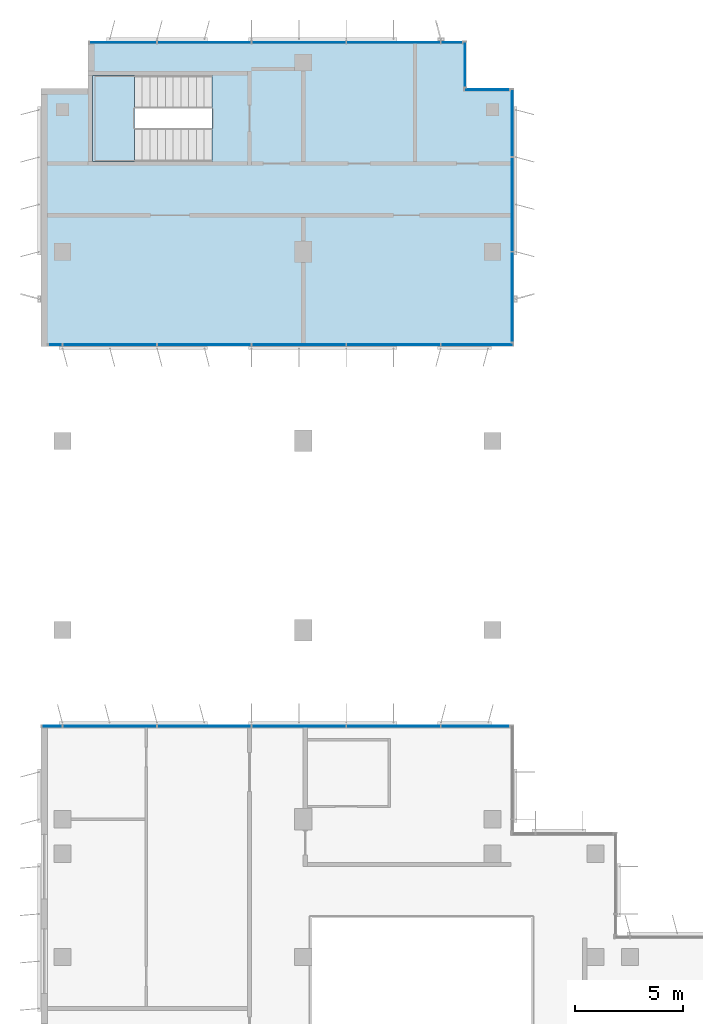
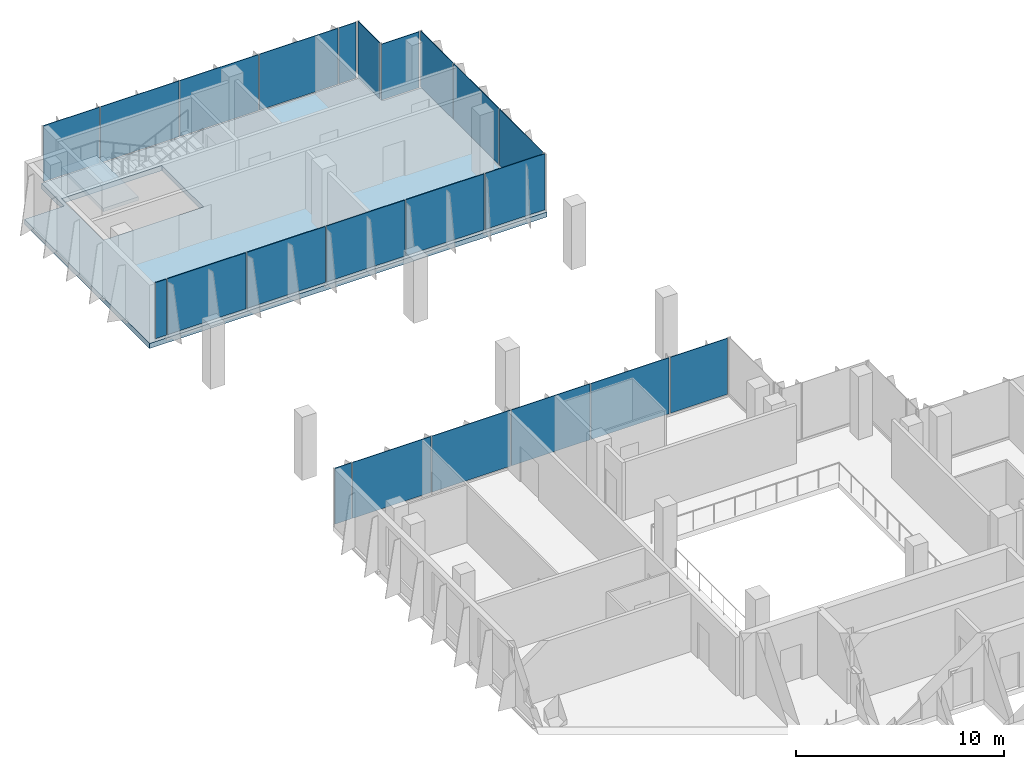
# One storey, part 8 of 14: 22 plates, 2 slabs, 7 elements without a shape of their own.
"""IFC4 building model written with IfcOpenShell, lengths in metres."""

import ifcopenshell
import ifcopenshell.guid

model = None  # the IFC model being written
_history = None  # IfcOwnerHistory: only IFC2X3 demands one
_inside = {}  # id of a spatial element -> (the spatial element, [elements in it])
_under = {}  # id of a project, library or spatial element -> (it, [spatial elements below it])
_declared = {}  # id of a project -> (the project, [libraries it declares])
_typed = {}  # id of a type object -> (the type object, [elements of that type])
_made_of = {}  # id of a material, layer set ... -> (it, [elements and type objects made of it])


def new_model(schema):
    """Start an empty IFC model of exactly this schema.

    Asked for "IFC4X3", IfcOpenShell would pick the latest addendum, in which some entities
    have other attributes; the version numbers below select the first issue.
    IFC2X3 requires an IfcOwnerHistory on every rooted entity: one is made here for all.
    """
    global model, _history
    if schema == "IFC4X3":
        model = ifcopenshell.file(schema_version=(4, 3, 0, 0))
    else:
        model = ifcopenshell.file(schema=schema)
    _inside.clear()
    _under.clear()
    _declared.clear()
    _typed.clear()
    _made_of.clear()
    _history = None
    if model.schema == "IFC2X3":
        org = make("IfcOrganization", Name="unknown")
        user = make(
            "IfcPersonAndOrganization",
            ThePerson=make("IfcPerson", FamilyName="unknown"),
            TheOrganization=org,
        )
        app = make(
            "IfcApplication",
            ApplicationDeveloper=org,
            Version="unknown",
            ApplicationFullName="unknown",
            ApplicationIdentifier="unknown",
        )
        _history = make(
            "IfcOwnerHistory",
            OwningUser=user,
            OwningApplication=app,
            ChangeAction="ADDED",
            CreationDate=0,
        )
    return model


def make(cls, **values):
    """One entity of the class cls with the attributes given. An attribute that is None is left unset."""
    return model.create_entity(
        cls, **{name: value for name, value in values.items() if value is not None}
    )


def rooted(cls, **values):
    """An entity with a GlobalId (a new one), such as an element, a storey or a relation."""
    return make(cls, GlobalId=ifcopenshell.guid.new(), OwnerHistory=_history, **values)


def si_unit(unit_type, name, prefix=None):
    """IfcSIUnit, for example si_unit("LENGTHUNIT", "METRE", prefix="MILLI")."""
    return make("IfcSIUnit", UnitType=unit_type, Prefix=prefix, Name=name)


def assignment(units):
    """IfcUnitAssignment: the units of a project."""
    return None if units is None else make("IfcUnitAssignment", Units=units)


def point(xyz):
    """IfcCartesianPoint."""
    return None if xyz is None else make("IfcCartesianPoint", Coordinates=xyz)


def direction(xyz):
    """IfcDirection."""
    return None if xyz is None else make("IfcDirection", DirectionRatios=xyz)


def frame(location, z_axis=None, x_axis=None):
    """IfcAxis2Placement3D, a coordinate frame: its origin and axes. An axis left out is left unset."""
    return make(
        "IfcAxis2Placement3D",
        Location=point(location),
        Axis=direction(z_axis),
        RefDirection=direction(x_axis),
    )


def frame_2d(location, x_axis=None):
    """IfcAxis2Placement2D, a coordinate frame in the plane: its origin and x axis."""
    return make(
        "IfcAxis2Placement2D", Location=point(location), RefDirection=direction(x_axis)
    )


def origin():
    """The frame at (0, 0, 0) with its axes left unset."""
    return frame((0.0, 0.0, 0.0))


def origin_2d():
    """The frame at (0, 0) in the plane with its x axis left unset."""
    return frame_2d((0.0, 0.0))


def place(relative_to, where):
    """IfcLocalPlacement: puts the frame where relative to a parent placement (None: the world)."""
    return make(
        "IfcLocalPlacement", PlacementRelTo=relative_to, RelativePlacement=where
    )


def context(
    kind, dimensions, precision=None, world=None, true_north=None, identifier=None
):
    """IfcGeometricRepresentationContext, for example the 3D "Model" context."""
    return make(
        "IfcGeometricRepresentationContext",
        ContextIdentifier=identifier,
        ContextType=kind,
        CoordinateSpaceDimension=dimensions,
        Precision=precision,
        WorldCoordinateSystem=world,
        TrueNorth=true_north,
    )


def subcontext(parent, identifier, kind, view, scale=None):
    """IfcGeometricRepresentationSubContext, for example "Body" below "Model"."""
    return make(
        "IfcGeometricRepresentationSubContext",
        ContextIdentifier=identifier,
        ContextType=kind,
        ParentContext=parent,
        TargetScale=scale,
        TargetView=view,
    )


def project(units=None, contexts=None):
    """IfcProject with its units and contexts."""
    return rooted(
        "IfcProject",
        Name="project",
        RepresentationContexts=contexts,
        UnitsInContext=assignment(units),
    )


def spatial(cls, under=None, at=None, **own):
    """A site, building, storey or space (cls), placed at a placement, below another one or the project."""
    s = rooted(cls, ObjectPlacement=at, **own)
    if under is not None:
        _under.setdefault(under.id(), (under, []))[1].append(s)
    return s


def polyline(points):
    """IfcPolyline through the points."""
    return make("IfcPolyline", Points=[point(p) for p in points])


def profile(cls, at=None, kind="AREA", **sizes):
    """A parametric profile (cls). Its sizes go by their IFC names, for example OverallWidth=200.0."""
    return make(cls, ProfileType=kind, Position=at, **sizes)


def rectangle(**sizes):
    """IfcRectangleProfileDef."""
    return profile("IfcRectangleProfileDef", **sizes)


def outline(outer, holes=None, kind="AREA"):
    """IfcArbitraryClosedProfileDef: a profile drawn as a closed curve; with holes, ...WithVoids."""
    if holes is None:
        return make("IfcArbitraryClosedProfileDef", ProfileType=kind, OuterCurve=outer)
    return make(
        "IfcArbitraryProfileDefWithVoids",
        ProfileType=kind,
        OuterCurve=outer,
        InnerCurves=holes,
    )


def extrude(swept, where, along, depth):
    """IfcExtrudedAreaSolid: the profile swept, set in the frame where, extruded along a direction by depth."""
    return make(
        "IfcExtrudedAreaSolid",
        SweptArea=swept,
        Position=where,
        ExtrudedDirection=direction(along),
        Depth=depth,
    )


def shape(context_of_items, identifier, shape_type, items):
    """IfcShapeRepresentation: the items that make up one representation, for example the "Body"."""
    return make(
        "IfcShapeRepresentation",
        ContextOfItems=context_of_items,
        RepresentationIdentifier=identifier,
        RepresentationType=shape_type,
        Items=items,
    )


def source(mapping_origin, context_of_items, identifier, shape_type, items):
    """IfcRepresentationMap: a shape defined once, which mapped items show again and again."""
    return make(
        "IfcRepresentationMap",
        MappingOrigin=mapping_origin,
        MappedRepresentation=shape(context_of_items, identifier, shape_type, items),
    )


def transform(
    local_origin,
    x_axis=None,
    y_axis=None,
    z_axis=None,
    scale=None,
    scale2=None,
    scale3=None,
    uniform=True,
):
    """IfcCartesianTransformationOperator3D, or its non-uniform kind. x_axis, y_axis, z_axis: its Axis1, 2, 3."""
    if uniform:
        return make(
            "IfcCartesianTransformationOperator3D",
            Axis1=direction(x_axis),
            Axis2=direction(y_axis),
            LocalOrigin=point(local_origin),
            Scale=scale,
            Axis3=direction(z_axis),
        )
    return make(
        "IfcCartesianTransformationOperator3DnonUniform",
        Axis1=direction(x_axis),
        Axis2=direction(y_axis),
        LocalOrigin=point(local_origin),
        Scale=scale,
        Axis3=direction(z_axis),
        Scale2=scale2,
        Scale3=scale3,
    )


def mapped(mapping_source, mapping_target):
    """IfcMappedItem: shows the shape of a source again, moved by a transform."""
    return make(
        "IfcMappedItem", MappingSource=mapping_source, MappingTarget=mapping_target
    )


def material(Name=None, Category=None):
    """IfcMaterial."""
    return make("IfcMaterial", Name=Name, Category=Category)


def layer(
    of_material, thickness, ventilated=None, Name=None, Category=None, Priority=None
):
    """IfcMaterialLayer: one layer of a wall or slab, of a material (None: an air gap)."""
    return make(
        "IfcMaterialLayer",
        Material=of_material,
        LayerThickness=thickness,
        IsVentilated=ventilated,
        Name=Name,
        Category=Category,
        Priority=Priority,
    )


def layer_set(layers, Name=None):
    """IfcMaterialLayerSet."""
    return make("IfcMaterialLayerSet", MaterialLayers=layers, LayerSetName=Name)


def made_of(thing, what):
    """Note that an element or type object is made of a material, layer set ...; save() writes the relation."""
    if what is not None:
        _made_of.setdefault(what.id(), (what, []))[1].append(thing)
    return thing


def type_object(cls, material=None, **own):
    """A type object (cls), such as IfcWallType, which elements share."""
    return made_of(rooted(cls, **own), material)


def element(
    cls,
    number,
    at=None,
    inside=None,
    cuts=None,
    type_object=None,
    material=None,
    context=None,
    identifier="Body",
    shape_type=None,
    held_by="IfcProductDefinitionShape",
    body=None,
    shapes=None,
    **own,
):
    """One element of the class cls, such as IfcWall. Its Tag is "e" and its number.

    at: its placement. inside: the storey or other place that contains it. cuts: it is an
    opening in that element (IfcRelVoidsElement). A single representation is given by context,
    identifier, shape_type and body (its items); several are given by shapes. held_by: the class
    of the entity that holds the representations. save() writes the other relations.
    """
    e = rooted(cls, Tag="e%d" % number, ObjectPlacement=at, **own)
    if body is not None:
        shapes = [shape(context, identifier, shape_type, body)]
    if shapes is not None:
        e.Representation = make(held_by, Representations=shapes)
    if inside is not None:
        _inside.setdefault(inside.id(), (inside, []))[1].append(e)
    if cuts is not None:
        rooted(
            "IfcRelVoidsElement", RelatingBuildingElement=cuts, RelatedOpeningElement=e
        )
    if type_object is not None:
        _typed.setdefault(type_object.id(), (type_object, []))[1].append(e)
    return made_of(e, material)


def aggregate(whole, parts):
    """IfcRelAggregates: a whole, such as a stair, and the parts it consists of."""
    return rooted("IfcRelAggregates", RelatingObject=whole, RelatedObjects=parts)


def save(model, path):
    """Write the relations noted so far, then the file.

    IfcRelAggregates (storeys below a building ...), IfcRelContainedInSpatialStructure (elements
    in a storey), IfcRelDefinesByType, IfcRelAssociatesMaterial and IfcRelDeclares: one each for
    every whole, place, type object, material and project.
    """
    for whole, parts in _under.values():
        aggregate(whole, parts)
    for where, things in _inside.values():
        rooted(
            "IfcRelContainedInSpatialStructure",
            RelatedElements=things,
            RelatingStructure=where,
        )
    for kind, things in _typed.values():
        rooted("IfcRelDefinesByType", RelatedObjects=things, RelatingType=kind)
    for what, things in _made_of.values():
        rooted("IfcRelAssociatesMaterial", RelatedObjects=things, RelatingMaterial=what)
    for by, libraries in _declared.values():
        rooted("IfcRelDeclares", RelatingContext=by, RelatedDefinitions=libraries)
    model.write(path)


model = new_model("IFC4")

# Units and contexts
model_context = context("Model", 3, precision=1e-05, world=origin(), true_north=direction((0.0, 1.0)))
body_context = subcontext(model_context, "Body", "Model", "MODEL_VIEW")
ifc_project = project(units=[si_unit("LENGTHUNIT", "METRE"), si_unit("AREAUNIT", "SQUARE_METRE"), si_unit("VOLUMEUNIT", "CUBIC_METRE"), si_unit("PLANEANGLEUNIT", "RADIAN"), si_unit("MASSUNIT", "GRAM", prefix="KILO")], contexts=[model_context])

# Site, building, storey
site_placement = place(None, origin())
site = spatial("IfcSite", under=ifc_project, at=site_placement, CompositionType="ELEMENT")
building_placement = place(site_placement, origin())
building = spatial("IfcBuilding", under=site, at=building_placement, Name="Kemantara Hotel Tower", CompositionType="ELEMENT")
storey_placement = place(building_placement, frame((0.0, 0.0, 248.699951171875)))
storey = spatial("IfcBuildingStorey", under=building, at=storey_placement, Name="L62", CompositionType="ELEMENT", Elevation=248.699951171875)

# Slab
ifc_material_1 = material(Name="Concrete fc 40 MPa", Category="concrete")
ifc_layer_1 = layer(ifc_material_1, 0.300048828125)
ifc_layer_set_1 = layer_set([ifc_layer_1], Name="Concrete fc 40 MPa")
slab_type_1 = type_object("IfcSlabType", Name="POST-TENSIONED FLAT PLATE 300", PredefinedType="FLOOR", material=ifc_layer_set_1)
slab_1_placement = place(storey_placement, frame((0.0, 0.0, -0.300048828125)))
element("IfcSlab", 1, at=slab_1_placement, inside=storey, type_object=slab_type_1, Name="FLOOR SLAB L62", PredefinedType="FLOOR", context=body_context, shape_type="SweptSolid", body=[
    extrude(outline(polyline([(2.199951171875, 61.39990234375), (0.0, 61.39990234375), (0.0, 49.39990234375), (22.0, 49.39990234375), (22.0, 61.39990234375), (19.800048828125, 61.39990234375), (19.800048828125, 63.60009765625), (2.199951171875, 63.60009765625), (2.199951171875, 61.39990234375)]), holes=[polyline([(2.39990234375, 58.0), (2.39990234375, 62.0), (7.949462890625, 62.0), (7.949462890625, 58.0), (2.39990234375, 58.0)])]), origin(), (0.0, 0.0, 1.0), 0.300048828125),
])

# Stair, slab
stair_type = type_object("IfcStairType", Name="Stair 1550 wide 22 risers of 168 x 360 mm", PredefinedType="HALF_TURN_STAIR", material=ifc_material_1)
stair_placement = place(storey_placement, origin())
stair = element("IfcStair", 2, at=stair_placement, inside=storey, type_object=stair_type, Name="L62 Exit stair ST4", PredefinedType="HALF_TURN_STAIR")
ifc_layer_2 = layer(ifc_material_1, 0.199951171875)
ifc_layer_set_2 = layer_set([ifc_layer_2], Name="Concrete fc 40 MPa")
slab_type_2 = type_object("IfcSlabType", Name="Stair landing 200 mm", PredefinedType="LANDING", material=ifc_layer_set_2)
slab_2_placement = place(storey_placement, frame((0.0, 0.0, 1.650146484375)))
slab_2 = element("IfcSlab", 3, at=slab_2_placement, type_object=slab_type_2, Name="ST4 landing 1", PredefinedType="LANDING", context=body_context, shape_type="SweptSolid", body=[
    extrude(outline(polyline([(4.35009765625, 62.0), (2.39990234375, 62.0), (2.39990234375, 58.0), (4.35009765625, 58.0), (4.35009765625, 62.0)])), origin(), (0.0, 0.0, 1.0), 0.199951171875),
])
aggregate(stair, [slab_2])

# Curtain wall, plates
ifc_material_2 = material(Name="Low-E tinted double insulated glass 36 mm", Category="glass")
curtain_wall_type = type_object("IfcCurtainWallType", Name="TOWER CURTAIN WALL, FRONT FACES", PredefinedType="USERDEFINED", material=ifc_material_2)
curtain_wall_1_placement = place(storey_placement, origin())
curtain_wall_1 = element("IfcCurtainWall", 4, at=curtain_wall_1_placement, inside=storey, type_object=curtain_wall_type, Name="CW4 L62 T4P-R01-1", ObjectType="TOWER CURTAIN WALL, FRONT FACES", PredefinedType="USERDEFINED")
ifc_layer_3 = layer(ifc_material_2, 0.035888671875)
ifc_layer_set_3 = layer_set([ifc_layer_3], Name="Low-E tinted double insulated glass 36 mm")
plate_type = type_object("IfcPlateType", Name="TOWER CURTAIN WALL, FRONT FACES PANEL", PredefinedType="CURTAIN_PANEL", material=ifc_layer_set_3)
shared_shape_1 = source(origin(), body_context, "Body", "SweptSolid", [
    extrude(rectangle(XDim=4.340087890625, YDim=0.035888671875, at=origin_2d()), origin(), (0.0, 0.0, 1.0), 3.280029296875),
])
plate_1_placement = place(storey_placement, frame((16.39990234375, 31.72509765625, 0.1201171875), z_axis=(0.0, 0.0, 1.0), x_axis=(-1.0, 0.0, 0.0)))
plate_1 = element("IfcPlate", 5, at=plate_1_placement, type_object=plate_type, Name="CW4 glass panel T4P-R01-1.2", PredefinedType="CURTAIN_PANEL", context=body_context, shape_type="MappedRepresentation", body=[
    mapped(shared_shape_1, transform((0.0, 0.0, 0.0))),
])
plate_2_placement = place(storey_placement, frame((12.0, 31.72509765625, 0.1201171875), z_axis=(0.0, 0.0, 1.0), x_axis=(-1.0, 0.0, 0.0)))
plate_2 = element("IfcPlate", 6, at=plate_2_placement, type_object=plate_type, Name="CW4 glass panel T4P-R01-1.3", PredefinedType="CURTAIN_PANEL", context=body_context, shape_type="MappedRepresentation", body=[
    mapped(shared_shape_1, transform((0.0, 0.0, 0.0))),
])
plate_3_placement = place(storey_placement, frame((7.60009765625, 31.72509765625, 0.1201171875), z_axis=(0.0, 0.0, 1.0), x_axis=(-1.0, 0.0, 0.0)))
plate_3 = element("IfcPlate", 7, at=plate_3_placement, type_object=plate_type, Name="CW4 glass panel T4P-R01-1.4", PredefinedType="CURTAIN_PANEL", context=body_context, shape_type="MappedRepresentation", body=[
    mapped(shared_shape_1, transform((0.0, 0.0, 0.0))),
])
plate_4_placement = place(storey_placement, frame((3.199951171875, 31.72509765625, 0.1201171875), z_axis=(0.0, 0.0, 1.0), x_axis=(-1.0, 0.0, 0.0)))
plate_4 = element("IfcPlate", 8, at=plate_4_placement, type_object=plate_type, Name="CW4 glass panel T4P-R01-1.5", PredefinedType="CURTAIN_PANEL", context=body_context, shape_type="MappedRepresentation", body=[
    mapped(shared_shape_1, transform((0.0, 0.0, 0.0))),
])

curtain_wall_2_placement = place(storey_placement, origin())
curtain_wall_2 = element("IfcCurtainWall", 9, at=curtain_wall_2_placement, inside=storey, type_object=curtain_wall_type, Name="CW4 L62 T4P-R12-1", ObjectType="TOWER CURTAIN WALL, FRONT FACES", PredefinedType="USERDEFINED")
plate_5_placement = place(storey_placement, frame((3.199951171875, 49.47509765625, 0.1201171875), z_axis=(0.0, 0.0, 1.0), x_axis=(1.0, 0.0, 0.0)))
plate_5 = element("IfcPlate", 10, at=plate_5_placement, type_object=plate_type, Name="CW4 glass panel T4P-R12-1.2", PredefinedType="CURTAIN_PANEL", context=body_context, shape_type="MappedRepresentation", body=[
    mapped(shared_shape_1, transform((0.0, 0.0, 0.0))),
])
plate_6_placement = place(storey_placement, frame((7.60009765625, 49.47509765625, 0.1201171875), z_axis=(0.0, 0.0, 1.0), x_axis=(1.0, 0.0, 0.0)))
plate_6 = element("IfcPlate", 11, at=plate_6_placement, type_object=plate_type, Name="CW4 glass panel T4P-R12-1.3", PredefinedType="CURTAIN_PANEL", context=body_context, shape_type="MappedRepresentation", body=[
    mapped(shared_shape_1, transform((0.0, 0.0, 0.0))),
])
plate_7_placement = place(storey_placement, frame((12.0, 49.47509765625, 0.1201171875), z_axis=(0.0, 0.0, 1.0), x_axis=(1.0, 0.0, 0.0)))
plate_7 = element("IfcPlate", 12, at=plate_7_placement, type_object=plate_type, Name="CW4 glass panel T4P-R12-1.4", PredefinedType="CURTAIN_PANEL", context=body_context, shape_type="MappedRepresentation", body=[
    mapped(shared_shape_1, transform((0.0, 0.0, 0.0))),
])
plate_8_placement = place(storey_placement, frame((16.39990234375, 49.47509765625, 0.1201171875), z_axis=(0.0, 0.0, 1.0), x_axis=(1.0, 0.0, 0.0)))
plate_8 = element("IfcPlate", 13, at=plate_8_placement, type_object=plate_type, Name="CW4 glass panel T4P-R12-1.5", PredefinedType="CURTAIN_PANEL", context=body_context, shape_type="MappedRepresentation", body=[
    mapped(shared_shape_1, transform((0.0, 0.0, 0.0))),
])

# Curtain wall, plate
curtain_wall_3_placement = place(storey_placement, origin())
curtain_wall_3 = element("IfcCurtainWall", 14, at=curtain_wall_3_placement, inside=storey, type_object=curtain_wall_type, Name="CW4 L62 T4P-R13-1", ObjectType="TOWER CURTAIN WALL, FRONT FACES", PredefinedType="USERDEFINED")
plate_9_placement = place(storey_placement, frame((21.925048828125, 56.0, 0.1201171875), z_axis=(0.0, 0.0, 1.0), x_axis=(0.0, 1.0, 0.0)))
plate_9 = element("IfcPlate", 15, at=plate_9_placement, type_object=plate_type, Name="CW4 glass panel T4P-R13-1.2", PredefinedType="CURTAIN_PANEL", context=body_context, shape_type="MappedRepresentation", body=[
    mapped(shared_shape_1, transform((0.0, 0.0, 0.0))),
])

# Curtain wall, plates
curtain_wall_4_placement = place(storey_placement, origin())
curtain_wall_4 = element("IfcCurtainWall", 16, at=curtain_wall_4_placement, inside=storey, type_object=curtain_wall_type, Name="CW4 L62 T4P-R16-1", ObjectType="TOWER CURTAIN WALL, FRONT FACES", PredefinedType="USERDEFINED")
plate_10_placement = place(storey_placement, frame((16.39990234375, 63.52490234375, 0.1201171875), z_axis=(0.0, 0.0, 1.0), x_axis=(-1.0, 0.0, 0.0)))
plate_10 = element("IfcPlate", 17, at=plate_10_placement, type_object=plate_type, Name="CW4 glass panel T4P-R16-1.2", PredefinedType="CURTAIN_PANEL", context=body_context, shape_type="MappedRepresentation", body=[
    mapped(shared_shape_1, transform((0.0, 0.0, 0.0))),
])
plate_11_placement = place(storey_placement, frame((12.0, 63.52490234375, 0.1201171875), z_axis=(0.0, 0.0, 1.0), x_axis=(-1.0, 0.0, 0.0)))
plate_11 = element("IfcPlate", 18, at=plate_11_placement, type_object=plate_type, Name="CW4 glass panel T4P-R16-1.3", PredefinedType="CURTAIN_PANEL", context=body_context, shape_type="MappedRepresentation", body=[
    mapped(shared_shape_1, transform((0.0, 0.0, 0.0))),
])
plate_12_placement = place(storey_placement, frame((7.60009765625, 63.52490234375, 0.1201171875), z_axis=(0.0, 0.0, 1.0), x_axis=(-1.0, 0.0, 0.0)))
plate_12 = element("IfcPlate", 19, at=plate_12_placement, type_object=plate_type, Name="CW4 glass panel T4P-R16-1.4", PredefinedType="CURTAIN_PANEL", context=body_context, shape_type="MappedRepresentation", body=[
    mapped(shared_shape_1, transform((0.0, 0.0, 0.0))),
])

# Plate
shared_shape_2 = source(origin(), body_context, "Body", "SweptSolid", [
    extrude(rectangle(XDim=3.110107421875, YDim=0.035888671875, at=origin_2d()), origin(), (0.0, 0.0, 1.0), 3.280029296875),
])
plate_13_placement = place(storey_placement, frame((21.925048828125, 59.784912109375, 0.1201171875), z_axis=(0.0, 0.0, 1.0), x_axis=(0.0, 1.0, 0.0)))
plate_13 = element("IfcPlate", 20, at=plate_13_placement, type_object=plate_type, Name="CW4 glass panel T4P-R13-1.3", PredefinedType="CURTAIN_PANEL", context=body_context, shape_type="MappedRepresentation", body=[
    mapped(shared_shape_2, transform((0.0, 0.0, 0.0))),
])

plate_14_placement = place(storey_placement, frame((3.81494140625, 63.52490234375, 0.1201171875), z_axis=(0.0, 0.0, 1.0), x_axis=(-1.0, 0.0, 0.0)))
plate_14 = element("IfcPlate", 21, at=plate_14_placement, type_object=plate_type, Name="CW4 glass panel T4P-R16-1.5", PredefinedType="CURTAIN_PANEL", context=body_context, shape_type="MappedRepresentation", body=[
    mapped(shared_shape_2, transform((0.0, 0.0, 0.0))),
])

# Curtain wall, plate
curtain_wall_5_placement = place(storey_placement, origin())
curtain_wall_5 = element("IfcCurtainWall", 22, at=curtain_wall_5_placement, inside=storey, type_object=curtain_wall_type, Name="CW4 L62 T4P-R14-1", ObjectType="TOWER CURTAIN WALL, FRONT FACES", PredefinedType="USERDEFINED")
shared_shape_3 = source(origin(), body_context, "Body", "SweptSolid", [
    extrude(rectangle(XDim=2.080078125, YDim=0.035888671875, at=origin_2d()), origin(), (0.0, 0.0, 1.0), 3.280029296875),
])
plate_15_placement = place(storey_placement, frame((20.75, 61.324951171875, 0.1201171875), z_axis=(0.0, 0.0, 1.0), x_axis=(-1.0, 0.0, 0.0)))
plate_15 = element("IfcPlate", 23, at=plate_15_placement, type_object=plate_type, Name="CW4 glass panel T4P-R14-1.1", PredefinedType="CURTAIN_PANEL", context=body_context, shape_type="MappedRepresentation", body=[
    mapped(shared_shape_3, transform((0.0, 0.0, 0.0))),
])
aggregate(curtain_wall_5, [plate_15])

curtain_wall_6_placement = place(storey_placement, origin())
curtain_wall_6 = element("IfcCurtainWall", 24, at=curtain_wall_6_placement, inside=storey, type_object=curtain_wall_type, Name="CW4 L62 T4P-R15-1", ObjectType="TOWER CURTAIN WALL, FRONT FACES", PredefinedType="USERDEFINED")
plate_16_placement = place(storey_placement, frame((19.72509765625, 62.5, 0.1201171875), z_axis=(0.0, 0.0, 1.0), x_axis=(0.0, 1.0, 0.0)))
plate_16 = element("IfcPlate", 25, at=plate_16_placement, type_object=plate_type, Name="CW4 glass panel T4P-R15-1.1", PredefinedType="CURTAIN_PANEL", context=body_context, shape_type="MappedRepresentation", body=[
    mapped(shared_shape_3, transform((0.0, 0.0, 0.0))),
])
aggregate(curtain_wall_6, [plate_16])

# Plate
shared_shape_4 = source(origin(), body_context, "Body", "SweptSolid", [
    extrude(rectangle(XDim=0.909912109375, YDim=0.035888671875, at=origin_2d()), origin(), (0.0, 0.0, 1.0), 3.280029296875),
])
plate_17_placement = place(storey_placement, frame((0.514892578125, 31.72509765625, 0.1201171875), z_axis=(0.0, 0.0, 1.0), x_axis=(-1.0, 0.0, 0.0)))
plate_17 = element("IfcPlate", 26, at=plate_17_placement, type_object=plate_type, Name="CW4 glass panel T4P-R01-1.6", PredefinedType="CURTAIN_PANEL", context=body_context, shape_type="MappedRepresentation", body=[
    mapped(shared_shape_4, transform((0.0, 0.0, 0.0))),
])

shared_shape_5 = source(origin(), body_context, "Body", "SweptSolid", [
    extrude(rectangle(XDim=0.9599609375, YDim=0.035888671875, at=origin_2d()), origin(), (0.0, 0.0, 1.0), 3.280029296875),
])
plate_18_placement = place(storey_placement, frame((19.110107421875, 63.52490234375, 0.1201171875), z_axis=(0.0, 0.0, 1.0), x_axis=(-1.0, 0.0, 0.0)))
plate_18 = element("IfcPlate", 27, at=plate_18_placement, type_object=plate_type, Name="CW4 glass panel T4P-R16-1.1", PredefinedType="CURTAIN_PANEL", context=body_context, shape_type="MappedRepresentation", body=[
    mapped(shared_shape_5, transform((0.0, 0.0, 0.0))),
])

aggregate(curtain_wall_4, [plate_18, plate_10, plate_11, plate_12, plate_14])

shared_shape_6 = source(origin(), body_context, "Body", "SweptSolid", [
    extrude(rectangle(XDim=0.610107421875, YDim=0.035888671875, at=origin_2d()), origin(), (0.0, 0.0, 1.0), 3.280029296875),
])
plate_19_placement = place(storey_placement, frame((0.6650390625, 49.47509765625, 0.1201171875), z_axis=(0.0, 0.0, 1.0), x_axis=(1.0, 0.0, 0.0)))
plate_19 = element("IfcPlate", 28, at=plate_19_placement, type_object=plate_type, Name="CW4 glass panel T4P-R12-1.1", PredefinedType="CURTAIN_PANEL", context=body_context, shape_type="MappedRepresentation", body=[
    mapped(shared_shape_6, transform((0.0, 0.0, 0.0))),
])

shared_shape_7 = source(origin(), body_context, "Body", "SweptSolid", [
    extrude(rectangle(XDim=3.159912109375, YDim=0.035888671875, at=origin_2d()), origin(), (0.0, 0.0, 1.0), 3.280029296875),
])
plate_20_placement = place(storey_placement, frame((20.2099609375, 31.72509765625, 0.1201171875), z_axis=(0.0, 0.0, 1.0), x_axis=(-1.0, 0.0, 0.0)))
plate_20 = element("IfcPlate", 29, at=plate_20_placement, type_object=plate_type, Name="CW4 glass panel T4P-R01-1.1", PredefinedType="CURTAIN_PANEL", context=body_context, shape_type="MappedRepresentation", body=[
    mapped(shared_shape_7, transform((0.0, 0.0, 0.0))),
])

aggregate(curtain_wall_1, [plate_20, plate_1, plate_2, plate_3, plate_4, plate_17])

shared_shape_8 = source(origin(), body_context, "Body", "SweptSolid", [
    extrude(rectangle(XDim=4.159912109375, YDim=0.035888671875, at=origin_2d()), origin(), (0.0, 0.0, 1.0), 3.280029296875),
])
plate_21_placement = place(storey_placement, frame((21.925048828125, 51.68994140625, 0.1201171875), z_axis=(0.0, 0.0, 1.0), x_axis=(0.0, 1.0, 0.0)))
plate_21 = element("IfcPlate", 30, at=plate_21_placement, type_object=plate_type, Name="CW4 glass panel T4P-R13-1.1", PredefinedType="CURTAIN_PANEL", context=body_context, shape_type="MappedRepresentation", body=[
    mapped(shared_shape_8, transform((0.0, 0.0, 0.0))),
])

aggregate(curtain_wall_3, [plate_21, plate_9, plate_13])

shared_shape_9 = source(origin(), body_context, "Body", "SweptSolid", [
    extrude(rectangle(XDim=3.31005859375, YDim=0.035888671875, at=origin_2d()), origin(), (0.0, 0.0, 1.0), 3.280029296875),
])
plate_22_placement = place(storey_placement, frame((20.284912109375, 49.47509765625, 0.1201171875), z_axis=(0.0, 0.0, 1.0), x_axis=(1.0, 0.0, 0.0)))
plate_22 = element("IfcPlate", 31, at=plate_22_placement, type_object=plate_type, Name="CW4 glass panel T4P-R12-1.6", PredefinedType="CURTAIN_PANEL", context=body_context, shape_type="MappedRepresentation", body=[
    mapped(shared_shape_9, transform((0.0, 0.0, 0.0))),
])

aggregate(curtain_wall_2, [plate_19, plate_5, plate_6, plate_7, plate_8, plate_22])

save(model, "model.ifc")
